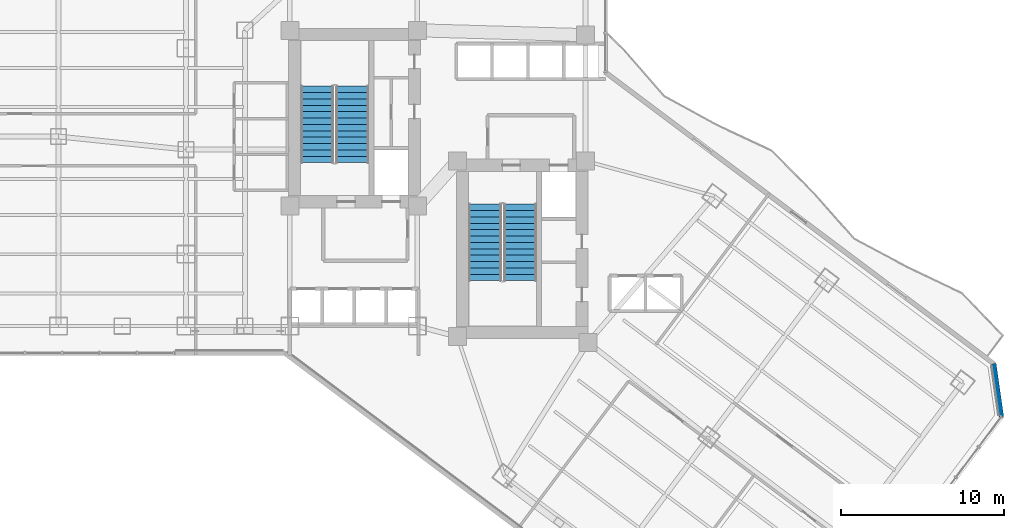
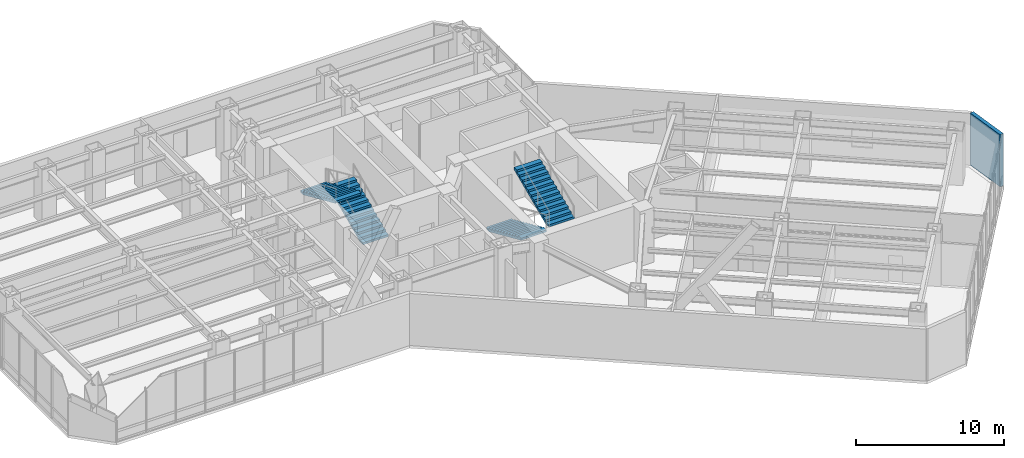
# One storey, part 24 of 29: 4 stair flights, 1 wall, 2 elements without a shape of their own.
"""IFC4 building model written with IfcOpenShell, lengths in metres."""

import ifcopenshell
import ifcopenshell.guid

model = None  # the IFC model being written
_history = None  # IfcOwnerHistory: only IFC2X3 demands one
_inside = {}  # id of a spatial element -> (the spatial element, [elements in it])
_under = {}  # id of a project, library or spatial element -> (it, [spatial elements below it])
_declared = {}  # id of a project -> (the project, [libraries it declares])
_typed = {}  # id of a type object -> (the type object, [elements of that type])
_made_of = {}  # id of a material, layer set ... -> (it, [elements and type objects made of it])


def new_model(schema):
    """Start an empty IFC model of exactly this schema.

    Asked for "IFC4X3", IfcOpenShell would pick the latest addendum, in which some entities
    have other attributes; the version numbers below select the first issue.
    IFC2X3 requires an IfcOwnerHistory on every rooted entity: one is made here for all.
    """
    global model, _history
    if schema == "IFC4X3":
        model = ifcopenshell.file(schema_version=(4, 3, 0, 0))
    else:
        model = ifcopenshell.file(schema=schema)
    _inside.clear()
    _under.clear()
    _declared.clear()
    _typed.clear()
    _made_of.clear()
    _history = None
    if model.schema == "IFC2X3":
        org = make("IfcOrganization", Name="unknown")
        user = make(
            "IfcPersonAndOrganization",
            ThePerson=make("IfcPerson", FamilyName="unknown"),
            TheOrganization=org,
        )
        app = make(
            "IfcApplication",
            ApplicationDeveloper=org,
            Version="unknown",
            ApplicationFullName="unknown",
            ApplicationIdentifier="unknown",
        )
        _history = make(
            "IfcOwnerHistory",
            OwningUser=user,
            OwningApplication=app,
            ChangeAction="ADDED",
            CreationDate=0,
        )
    return model


def make(cls, **values):
    """One entity of the class cls with the attributes given. An attribute that is None is left unset."""
    return model.create_entity(
        cls, **{name: value for name, value in values.items() if value is not None}
    )


def rooted(cls, **values):
    """An entity with a GlobalId (a new one), such as an element, a storey or a relation."""
    return make(cls, GlobalId=ifcopenshell.guid.new(), OwnerHistory=_history, **values)


def si_unit(unit_type, name, prefix=None):
    """IfcSIUnit, for example si_unit("LENGTHUNIT", "METRE", prefix="MILLI")."""
    return make("IfcSIUnit", UnitType=unit_type, Prefix=prefix, Name=name)


def assignment(units):
    """IfcUnitAssignment: the units of a project."""
    return None if units is None else make("IfcUnitAssignment", Units=units)


def point(xyz):
    """IfcCartesianPoint."""
    return None if xyz is None else make("IfcCartesianPoint", Coordinates=xyz)


def direction(xyz):
    """IfcDirection."""
    return None if xyz is None else make("IfcDirection", DirectionRatios=xyz)


def frame(location, z_axis=None, x_axis=None):
    """IfcAxis2Placement3D, a coordinate frame: its origin and axes. An axis left out is left unset."""
    return make(
        "IfcAxis2Placement3D",
        Location=point(location),
        Axis=direction(z_axis),
        RefDirection=direction(x_axis),
    )


def frame_2d(location, x_axis=None):
    """IfcAxis2Placement2D, a coordinate frame in the plane: its origin and x axis."""
    return make(
        "IfcAxis2Placement2D", Location=point(location), RefDirection=direction(x_axis)
    )


def origin():
    """The frame at (0, 0, 0) with its axes left unset."""
    return frame((0.0, 0.0, 0.0))


def place(relative_to, where):
    """IfcLocalPlacement: puts the frame where relative to a parent placement (None: the world)."""
    return make(
        "IfcLocalPlacement", PlacementRelTo=relative_to, RelativePlacement=where
    )


def context(
    kind, dimensions, precision=None, world=None, true_north=None, identifier=None
):
    """IfcGeometricRepresentationContext, for example the 3D "Model" context."""
    return make(
        "IfcGeometricRepresentationContext",
        ContextIdentifier=identifier,
        ContextType=kind,
        CoordinateSpaceDimension=dimensions,
        Precision=precision,
        WorldCoordinateSystem=world,
        TrueNorth=true_north,
    )


def subcontext(parent, identifier, kind, view, scale=None):
    """IfcGeometricRepresentationSubContext, for example "Body" below "Model"."""
    return make(
        "IfcGeometricRepresentationSubContext",
        ContextIdentifier=identifier,
        ContextType=kind,
        ParentContext=parent,
        TargetScale=scale,
        TargetView=view,
    )


def project(units=None, contexts=None):
    """IfcProject with its units and contexts."""
    return rooted(
        "IfcProject",
        Name="project",
        RepresentationContexts=contexts,
        UnitsInContext=assignment(units),
    )


def spatial(cls, under=None, at=None, **own):
    """A site, building, storey or space (cls), placed at a placement, below another one or the project."""
    s = rooted(cls, ObjectPlacement=at, **own)
    if under is not None:
        _under.setdefault(under.id(), (under, []))[1].append(s)
    return s


def polyline(points):
    """IfcPolyline through the points."""
    return make("IfcPolyline", Points=[point(p) for p in points])


def profile(cls, at=None, kind="AREA", **sizes):
    """A parametric profile (cls). Its sizes go by their IFC names, for example OverallWidth=200.0."""
    return make(cls, ProfileType=kind, Position=at, **sizes)


def rectangle(**sizes):
    """IfcRectangleProfileDef."""
    return profile("IfcRectangleProfileDef", **sizes)


def outline(outer, holes=None, kind="AREA"):
    """IfcArbitraryClosedProfileDef: a profile drawn as a closed curve; with holes, ...WithVoids."""
    if holes is None:
        return make("IfcArbitraryClosedProfileDef", ProfileType=kind, OuterCurve=outer)
    return make(
        "IfcArbitraryProfileDefWithVoids",
        ProfileType=kind,
        OuterCurve=outer,
        InnerCurves=holes,
    )


def extrude(swept, where, along, depth):
    """IfcExtrudedAreaSolid: the profile swept, set in the frame where, extruded along a direction by depth."""
    return make(
        "IfcExtrudedAreaSolid",
        SweptArea=swept,
        Position=where,
        ExtrudedDirection=direction(along),
        Depth=depth,
    )


def shape(context_of_items, identifier, shape_type, items):
    """IfcShapeRepresentation: the items that make up one representation, for example the "Body"."""
    return make(
        "IfcShapeRepresentation",
        ContextOfItems=context_of_items,
        RepresentationIdentifier=identifier,
        RepresentationType=shape_type,
        Items=items,
    )


def material(Name=None, Category=None):
    """IfcMaterial."""
    return make("IfcMaterial", Name=Name, Category=Category)


def layer(
    of_material, thickness, ventilated=None, Name=None, Category=None, Priority=None
):
    """IfcMaterialLayer: one layer of a wall or slab, of a material (None: an air gap)."""
    return make(
        "IfcMaterialLayer",
        Material=of_material,
        LayerThickness=thickness,
        IsVentilated=ventilated,
        Name=Name,
        Category=Category,
        Priority=Priority,
    )


def layer_set(layers, Name=None):
    """IfcMaterialLayerSet."""
    return make("IfcMaterialLayerSet", MaterialLayers=layers, LayerSetName=Name)


def made_of(thing, what):
    """Note that an element or type object is made of a material, layer set ...; save() writes the relation."""
    if what is not None:
        _made_of.setdefault(what.id(), (what, []))[1].append(thing)
    return thing


def type_object(cls, material=None, **own):
    """A type object (cls), such as IfcWallType, which elements share."""
    return made_of(rooted(cls, **own), material)


def element(
    cls,
    number,
    at=None,
    inside=None,
    cuts=None,
    type_object=None,
    material=None,
    context=None,
    identifier="Body",
    shape_type=None,
    held_by="IfcProductDefinitionShape",
    body=None,
    shapes=None,
    **own,
):
    """One element of the class cls, such as IfcWall. Its Tag is "e" and its number.

    at: its placement. inside: the storey or other place that contains it. cuts: it is an
    opening in that element (IfcRelVoidsElement). A single representation is given by context,
    identifier, shape_type and body (its items); several are given by shapes. held_by: the class
    of the entity that holds the representations. save() writes the other relations.
    """
    e = rooted(cls, Tag="e%d" % number, ObjectPlacement=at, **own)
    if body is not None:
        shapes = [shape(context, identifier, shape_type, body)]
    if shapes is not None:
        e.Representation = make(held_by, Representations=shapes)
    if inside is not None:
        _inside.setdefault(inside.id(), (inside, []))[1].append(e)
    if cuts is not None:
        rooted(
            "IfcRelVoidsElement", RelatingBuildingElement=cuts, RelatedOpeningElement=e
        )
    if type_object is not None:
        _typed.setdefault(type_object.id(), (type_object, []))[1].append(e)
    return made_of(e, material)


def aggregate(whole, parts):
    """IfcRelAggregates: a whole, such as a stair, and the parts it consists of."""
    return rooted("IfcRelAggregates", RelatingObject=whole, RelatedObjects=parts)


def save(model, path):
    """Write the relations noted so far, then the file.

    IfcRelAggregates (storeys below a building ...), IfcRelContainedInSpatialStructure (elements
    in a storey), IfcRelDefinesByType, IfcRelAssociatesMaterial and IfcRelDeclares: one each for
    every whole, place, type object, material and project.
    """
    for whole, parts in _under.values():
        aggregate(whole, parts)
    for where, things in _inside.values():
        rooted(
            "IfcRelContainedInSpatialStructure",
            RelatedElements=things,
            RelatingStructure=where,
        )
    for kind, things in _typed.values():
        rooted("IfcRelDefinesByType", RelatedObjects=things, RelatingType=kind)
    for what, things in _made_of.values():
        rooted("IfcRelAssociatesMaterial", RelatedObjects=things, RelatingMaterial=what)
    for by, libraries in _declared.values():
        rooted("IfcRelDeclares", RelatingContext=by, RelatedDefinitions=libraries)
    model.write(path)


model = new_model("IFC4")

# Units and contexts
model_context = context("Model", 3, precision=1e-05, world=origin(), true_north=direction((0.0, 1.0)))
body_context = subcontext(model_context, "Body", "Model", "MODEL_VIEW")
ifc_project = project(units=[si_unit("LENGTHUNIT", "METRE"), si_unit("AREAUNIT", "SQUARE_METRE"), si_unit("VOLUMEUNIT", "CUBIC_METRE"), si_unit("PLANEANGLEUNIT", "RADIAN"), si_unit("MASSUNIT", "GRAM", prefix="KILO")], contexts=[model_context])

# Site, building, storey
site_placement = place(None, origin())
site = spatial("IfcSite", under=ifc_project, at=site_placement, CompositionType="ELEMENT")
building_placement = place(site_placement, origin())
building = spatial("IfcBuilding", under=site, at=building_placement, Name="Hatsunagi Terrace Concourse", CompositionType="ELEMENT")
storey_placement = place(building_placement, frame((0.0, 0.0, 32.10009765625)))
storey = spatial("IfcBuildingStorey", under=building, at=storey_placement, Name="L07", CompositionType="ELEMENT", Elevation=32.10009765625)

# Wall
ifc_material_1 = material(Name="Autoclaved Lightweight Concrete and Terracotta Cladding", Category="masonry")
ifc_layer = layer(ifc_material_1, 0.280029296875)
ifc_layer_set = layer_set([ifc_layer], Name="TerracottaSpandrelWall_280")
wall_type = type_object("IfcWallType", Name="TerracottaSpandrelWall_280", PredefinedType="STANDARD", material=ifc_layer_set)
wall_placement = place(storey_placement, frame((68.6298828125, 22.903076171875, 0.0), z_axis=(0.0, 0.0, 1.0), x_axis=(0.141285803956, -0.989968848803, 0.0)))
element("IfcWall", 1, at=wall_placement, inside=storey, type_object=wall_type, Name="Exterior Spandrel Wall EW-L07-02", PredefinedType="STANDARD", context=body_context, shape_type="SweptSolid", body=[
    extrude(rectangle(XDim=3.278076171875, YDim=0.280029296875, at=frame_2d((1.63916015625, 0.0))), origin(), (0.0, 0.0, 1.0), 4.27978515625),
])

# Stair, stair flights
ifc_material_2 = material(Name="Concrete Fc42", Category="concrete")
stair_type = type_object("IfcStairType", Name="DoglegExitStair_Tower2000_26R_173", PredefinedType="HALF_TURN_STAIR", material=ifc_material_2)
stair_1_placement = place(storey_placement, origin())
stair_1 = element("IfcStair", 2, at=stair_1_placement, inside=storey, type_object=stair_type, Name="L07 Core A Protected Exit Stair ST-A", PredefinedType="HALF_TURN_STAIR")
ifc_material_3 = material(Name="Concrete Fc42", Category="concrete")
stair_flight_type = type_object("IfcStairFlightType", Name="DoglegStairFlight_Tower2000_26R_173", PredefinedType="STRAIGHT", material=ifc_material_3)
stair_flight_1_placement = place(storey_placement, frame((29.3798828125, 35.199951171875, 0.0), z_axis=(0.0, 0.0, 1.0), x_axis=(0.0, 1.0, 0.0)))
stair_flight_1 = element("IfcStairFlight", 3, at=stair_flight_1_placement, type_object=stair_flight_type, Name="ST-A flight 1", NumberOfRisers=13, NumberOfTreads=12, PredefinedType="STRAIGHT", RiserHeight=0.173076923, TreadLength=0.39, context=body_context, shape_type="SweptSolid", body=[
    extrude(outline(polyline([(0.0, 0.0), (0.0, 0.173095703125), (0.389892578125, 0.173095703125), (0.389892578125, 0.34619140625), (0.780029296875, 0.34619140625), (0.780029296875, 0.519287109375), (1.169921875, 0.519287109375), (1.169921875, 0.6923828125), (1.56005859375, 0.6923828125), (1.56005859375, 0.865478515625), (1.949951171875, 0.865478515625), (1.949951171875, 1.03857421875), (2.340087890625, 1.03857421875), (2.340087890625, 1.21142578125), (2.72998046875, 1.21142578125), (2.72998046875, 1.384521484375), (3.1201171875, 1.384521484375), (3.1201171875, 1.5576171875), (3.510009765625, 1.5576171875), (3.510009765625, 1.730712890625), (3.89990234375, 1.730712890625), (3.89990234375, 1.90380859375), (4.2900390625, 1.90380859375), (4.2900390625, 2.076904296875), (4.679931640625, 2.076904296875), (4.679931640625, 2.25), (4.679931640625, 1.912841796875), (0.36962890625, 0.0), (0.0, 0.0)])), frame((0.0, 1.0, 0.0), z_axis=(0.0, -1.0, 0.0), x_axis=(1.0, 0.0, 0.0)), (0.0, 0.0, 1.0), 2.0),
])
stair_flight_2_placement = place(storey_placement, frame((27.22998046875, 39.8798828125, 2.25), z_axis=(0.0, 0.0, 1.0), x_axis=(0.0, -1.0, 0.0)))
stair_flight_2 = element("IfcStairFlight", 4, at=stair_flight_2_placement, type_object=stair_flight_type, Name="ST-A flight 2", NumberOfRisers=13, NumberOfTreads=12, PredefinedType="STRAIGHT", RiserHeight=0.173076923, TreadLength=0.39, context=body_context, shape_type="SweptSolid", body=[
    extrude(outline(polyline([(0.0, 0.0), (0.0, 0.173095703125), (0.389892578125, 0.173095703125), (0.389892578125, 0.34619140625), (0.780029296875, 0.34619140625), (0.780029296875, 0.519287109375), (1.169921875, 0.519287109375), (1.169921875, 0.6923828125), (1.56005859375, 0.6923828125), (1.56005859375, 0.865478515625), (1.949951171875, 0.865478515625), (1.949951171875, 1.03857421875), (2.340087890625, 1.03857421875), (2.340087890625, 1.21142578125), (2.72998046875, 1.21142578125), (2.72998046875, 1.384521484375), (3.1201171875, 1.384521484375), (3.1201171875, 1.5576171875), (3.510009765625, 1.5576171875), (3.510009765625, 1.730712890625), (3.89990234375, 1.730712890625), (3.89990234375, 1.90380859375), (4.2900390625, 1.90380859375), (4.2900390625, 2.076904296875), (4.679931640625, 2.076904296875), (4.679931640625, 2.25), (4.679931640625, 1.912841796875), (0.36962890625, 0.0), (0.0, 0.0)])), frame((0.0, 1.0, 0.0), z_axis=(0.0, -1.0, 0.0), x_axis=(1.0, 0.0, 0.0)), (0.0, 0.0, 1.0), 2.0),
])
aggregate(stair_1, [stair_flight_1, stair_flight_2])

stair_2_placement = place(storey_placement, origin())
stair_2 = element("IfcStair", 5, at=stair_2_placement, inside=storey, type_object=stair_type, Name="L07 Core B Protected Exit Stair ST-B", PredefinedType="HALF_TURN_STAIR")
stair_flight_3_placement = place(storey_placement, frame((37.5, 32.659912109375, 0.0), z_axis=(0.0, 0.0, 1.0), x_axis=(0.0, -1.0, 0.0)))
stair_flight_3 = element("IfcStairFlight", 6, at=stair_flight_3_placement, type_object=stair_flight_type, Name="ST-B flight 1", NumberOfRisers=13, NumberOfTreads=12, PredefinedType="STRAIGHT", RiserHeight=0.173076923, TreadLength=0.39, context=body_context, shape_type="SweptSolid", body=[
    extrude(outline(polyline([(0.0, 0.0), (0.0, 0.173095703125), (0.389892578125, 0.173095703125), (0.389892578125, 0.34619140625), (0.780029296875, 0.34619140625), (0.780029296875, 0.519287109375), (1.169921875, 0.519287109375), (1.169921875, 0.6923828125), (1.56005859375, 0.6923828125), (1.56005859375, 0.865478515625), (1.949951171875, 0.865478515625), (1.949951171875, 1.03857421875), (2.340087890625, 1.03857421875), (2.340087890625, 1.21142578125), (2.72998046875, 1.21142578125), (2.72998046875, 1.384521484375), (3.1201171875, 1.384521484375), (3.1201171875, 1.5576171875), (3.510009765625, 1.5576171875), (3.510009765625, 1.730712890625), (3.89990234375, 1.730712890625), (3.89990234375, 1.90380859375), (4.2900390625, 1.90380859375), (4.2900390625, 2.076904296875), (4.679931640625, 2.076904296875), (4.679931640625, 2.25), (4.679931640625, 1.912841796875), (0.36962890625, 0.0), (0.0, 0.0)])), frame((0.0, 1.0, 0.0), z_axis=(0.0, -1.0, 0.0), x_axis=(1.0, 0.0, 0.0)), (0.0, 0.0, 1.0), 2.0),
])
stair_flight_4_placement = place(storey_placement, frame((39.64990234375, 27.97998046875, 2.25), z_axis=(0.0, 0.0, 1.0), x_axis=(0.0, 1.0, 0.0)))
stair_flight_4 = element("IfcStairFlight", 7, at=stair_flight_4_placement, type_object=stair_flight_type, Name="ST-B flight 2", NumberOfRisers=13, NumberOfTreads=12, PredefinedType="STRAIGHT", RiserHeight=0.173076923, TreadLength=0.39, context=body_context, shape_type="SweptSolid", body=[
    extrude(outline(polyline([(0.0, 0.0), (0.0, 0.173095703125), (0.389892578125, 0.173095703125), (0.389892578125, 0.34619140625), (0.780029296875, 0.34619140625), (0.780029296875, 0.519287109375), (1.169921875, 0.519287109375), (1.169921875, 0.6923828125), (1.56005859375, 0.6923828125), (1.56005859375, 0.865478515625), (1.949951171875, 0.865478515625), (1.949951171875, 1.03857421875), (2.340087890625, 1.03857421875), (2.340087890625, 1.21142578125), (2.72998046875, 1.21142578125), (2.72998046875, 1.384521484375), (3.1201171875, 1.384521484375), (3.1201171875, 1.5576171875), (3.510009765625, 1.5576171875), (3.510009765625, 1.730712890625), (3.89990234375, 1.730712890625), (3.89990234375, 1.90380859375), (4.2900390625, 1.90380859375), (4.2900390625, 2.076904296875), (4.679931640625, 2.076904296875), (4.679931640625, 2.25), (4.679931640625, 1.912841796875), (0.36962890625, 0.0), (0.0, 0.0)])), frame((0.0, 1.0, 0.0), z_axis=(0.0, -1.0, 0.0), x_axis=(1.0, 0.0, 0.0)), (0.0, 0.0, 1.0), 2.0),
])
aggregate(stair_2, [stair_flight_3, stair_flight_4])

save(model, "model.ifc")
